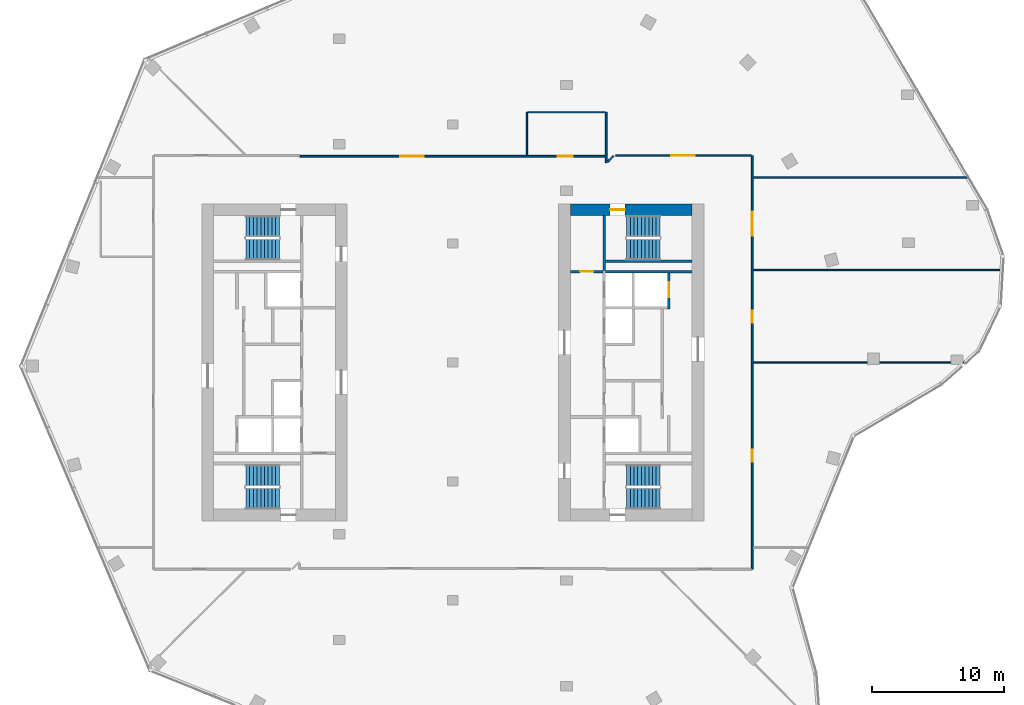
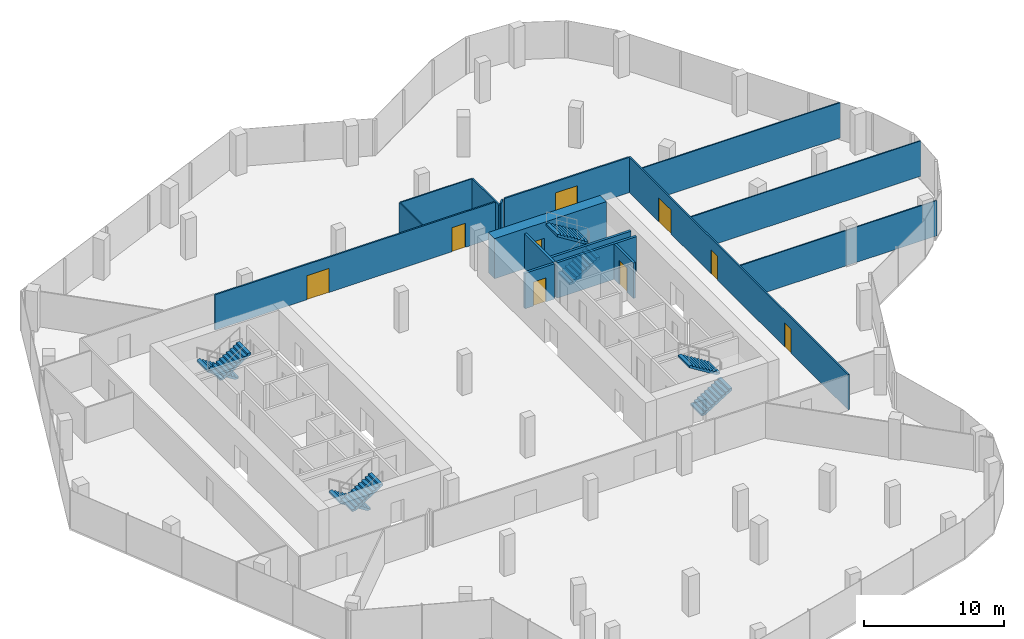
# One storey, part 14 of 15: 16 walls, 9 doors, 8 stair flights, 9 openings, 4 elements without a shape of their own.
"""IFC4 building model written with IfcOpenShell, lengths in metres."""

from ifc_helpers import new_model, si_unit, direction, frame, frame_2d, origin, place, context, subcontext, project, spatial, polyline, rectangle, outline, extrude, material, layer, layer_set, type_object, element, fill, aggregate, save


model = new_model("IFC4")

# Units and contexts
model_context = context("Model", 3, precision=1e-05, world=origin(), true_north=direction((0.0, 1.0)))
body_context = subcontext(model_context, "Body", "Model", "MODEL_VIEW")
ifc_project = project(units=[si_unit("LENGTHUNIT", "METRE"), si_unit("AREAUNIT", "SQUARE_METRE"), si_unit("VOLUMEUNIT", "CUBIC_METRE"), si_unit("PLANEANGLEUNIT", "RADIAN"), si_unit("MASSUNIT", "GRAM", prefix="KILO")], contexts=[model_context])

# Site, building, storey
site_placement = place(None, origin())
site = spatial("IfcSite", under=ifc_project, at=site_placement, CompositionType="ELEMENT")
building_placement = place(site_placement, origin())
building = spatial("IfcBuilding", under=site, at=building_placement, Name="Orlundy Tower", CompositionType="ELEMENT")
storey_placement = place(building_placement, frame((0.0, 0.0, 278.89990234375)))
storey = spatial("IfcBuildingStorey", under=building, at=storey_placement, Name="L74", CompositionType="ELEMENT", Elevation=278.89990234375)

# Wall, opening, door
ifc_material_1 = material(Name="Concrete C50/60", Category="concrete")
ifc_layer_1 = layer(ifc_material_1, 0.89990234375)
ifc_layer_set_1 = layer_set([ifc_layer_1], Name="CORE WALL 900 C50/60")
wall_type_1 = type_object("IfcWallType", Name="CORE WALL 900 C50/60", PredefinedType="SHEAR", material=ifc_layer_set_1)
wall_1_placement = place(storey_placement, frame((8.89990234375, 11.550048828125, 0.0), z_axis=(0.0, 0.0, 1.0), x_axis=(1.0, 0.0, 0.0)))
wall_1 = element("IfcWall", 1, at=wall_1_placement, inside=storey, type_object=wall_type_1, Name="Core wall E-N L74", PredefinedType="SHEAR", context=body_context, shape_type="SweptSolid", body=[
    extrude(rectangle(XDim=9.2001953125, YDim=0.89990234375, at=frame_2d((4.60009765625, 0.0))), origin(), (0.0, 0.0, 1.0), 3.5),
])
opening_1_placement = place(wall_1_placement, frame((3.0, 0.0, 0.0)))
opening_1 = element("IfcOpeningElement", 2, at=opening_1_placement, cuts=wall_1, Name="Opening 56061", PredefinedType="OPENING", context=body_context, shape_type="SweptSolid", body=[
    extrude(rectangle(XDim=1.10009765625, YDim=2.10009765625, at=frame_2d((0.550048828125, 1.050048828125))), frame((0.0, 0.4599609375, 0.0), z_axis=(0.0, -1.0, 0.0), x_axis=(1.0, 0.0, 0.0)), (0.0, 0.0, 1.0), 0.919921875),
])
ifc_material_2 = material(Name="Steel door set", Category="steel")
door_type_1 = type_object("IfcDoorType", Name="Stair Door 1100x2100", OperationType="SINGLE_SWING_LEFT", PredefinedType="DOOR", material=ifc_material_2)
door_1_placement = place(opening_1_placement, origin())
door_1 = element("IfcDoor", 3, at=door_1_placement, inside=storey, type_object=door_type_1, Name="Stair door 56061", OperationType="SINGLE_SWING_LEFT", OverallHeight=2.10009765625, OverallWidth=1.10009765625, PredefinedType="DOOR", context=body_context, shape_type="SweptSolid", body=[
    extrude(rectangle(XDim=1.10009765625, YDim=2.10009765625, at=frame_2d((0.550048828125, 1.050048828125))), frame((0.0, 0.02490234375, 0.0), z_axis=(0.0, -1.0, 0.0), x_axis=(1.0, 0.0, 0.0)), (0.0, 0.0, 1.0), 0.050048828125),
])
fill(opening_1, door_1)

# Walls
ifc_material_3 = material(Name="Gypsum board partition")
ifc_layer_2 = layer(ifc_material_3, 0.10009765625)
ifc_layer_set_2 = layer_set([ifc_layer_2], Name="Floor partition 100")
wall_type_2 = type_object("IfcWallType", Name="Floor partition 100", PredefinedType="PARTITIONING", material=ifc_layer_set_2)
wall_2_placement = place(storey_placement, frame((22.7119140625, 0.0, 0.0), z_axis=(0.0, 0.0, 1.0), x_axis=(1.0, 0.0, 0.0)))
element("IfcWall", 4, at=wall_2_placement, inside=storey, type_object=wall_type_2, Name="wall-int-L74-009", PredefinedType="PARTITIONING", context=body_context, shape_type="SweptSolid", body=[
    extrude(rectangle(XDim=16.2041015625, YDim=0.10009765625, at=frame_2d((8.10205078125, 0.0))), origin(), (0.0, 0.0, 1.0), 3.080078125),
])
wall_3_placement = place(storey_placement, frame((22.7119140625, 7.0, 0.0), z_axis=(0.0, 0.0, 1.0), x_axis=(1.0, 0.0, 0.0)))
element("IfcWall", 5, at=wall_3_placement, inside=storey, type_object=wall_type_2, Name="wall-int-L74-010", PredefinedType="PARTITIONING", context=body_context, shape_type="SweptSolid", body=[
    extrude(rectangle(XDim=18.927978515625, YDim=0.10009765625, at=frame_2d((9.4638671875, 0.0))), origin(), (0.0, 0.0, 1.0), 3.080078125),
])
wall_4_placement = place(storey_placement, frame((22.7119140625, 14.0, 0.0), z_axis=(0.0, 0.0, 1.0), x_axis=(1.0, 0.0, 0.0)))
element("IfcWall", 6, at=wall_4_placement, inside=storey, type_object=wall_type_2, Name="wall-int-L74-013", PredefinedType="PARTITIONING", context=body_context, shape_type="SweptSolid", body=[
    extrude(rectangle(XDim=16.336181640625, YDim=0.10009765625, at=frame_2d((8.16796875, 0.0))), origin(), (0.0, 0.0, 1.0), 3.080078125),
])
wall_5_placement = place(storey_placement, frame((5.64892578125, 18.93310546875, 0.0), z_axis=(0.0, 0.0, 1.0), x_axis=(1.0, 0.0, 0.0)))
element("IfcWall", 7, at=wall_5_placement, inside=storey, type_object=wall_type_2, Name="wall-int-L74-017", PredefinedType="PARTITIONING", context=body_context, shape_type="SweptSolid", body=[
    extrude(rectangle(XDim=5.88818359375, YDim=0.10009765625, at=frame_2d((2.944091796875, 0.0))), origin(), (0.0, 0.0, 1.0), 3.080078125),
])
wall_6_placement = place(storey_placement, frame((5.59912109375, 15.6640625, 0.0), z_axis=(0.0, 0.0, 1.0), x_axis=(0.0, 1.0, 0.0)))
element("IfcWall", 8, at=wall_6_placement, inside=storey, type_object=wall_type_2, Name="wall-int-L74-023", PredefinedType="PARTITIONING", context=body_context, shape_type="SweptSolid", body=[
    extrude(rectangle(XDim=3.26904296875, YDim=0.10009765625, at=frame_2d((1.634521484375, 0.0))), origin(), (0.0, 0.0, 1.0), 3.080078125),
])

# Wall, openings, doors
ifc_material_4 = material(Name="Gypsum board partition, double layer")
ifc_layer_3 = layer(ifc_material_4, 0.125)
ifc_layer_set_3 = layer_set([ifc_layer_3], Name="Floor partition 125")
wall_type_3 = type_object("IfcWallType", Name="Floor partition 125", PredefinedType="PARTITIONING", material=ifc_layer_set_3)
wall_7_placement = place(storey_placement, frame((-11.590087890625, 15.60107421875, 0.0), z_axis=(0.0, 0.0, 1.0), x_axis=(1.0, 0.0, 0.0)))
wall_7 = element("IfcWall", 9, at=wall_7_placement, inside=storey, type_object=wall_type_3, Name="wall-int-L74-014", PredefinedType="PARTITIONING", context=body_context, shape_type="SweptSolid", body=[
    extrude(rectangle(XDim=23.127197265625, YDim=0.125, at=frame_2d((11.5634765625, 0.0))), origin(), (0.0, 0.0, 1.0), 3.080078125),
])
opening_2_placement = place(wall_7_placement, frame((7.60009765625, 0.0, 0.0)))
opening_2 = element("IfcOpeningElement", 10, at=opening_2_placement, cuts=wall_7, Name="Opening 56108", PredefinedType="OPENING", context=body_context, shape_type="SweptSolid", body=[
    extrude(rectangle(XDim=1.800048828125, YDim=2.10009765625, at=frame_2d((0.89990234375, 1.050048828125))), frame((0.0, 0.072509765625, 0.0), z_axis=(0.0, -1.0, 0.0), x_axis=(1.0, 0.0, 0.0)), (0.0, 0.0, 1.0), 0.14501953125),
])
opening_3_placement = place(wall_7_placement, frame((19.5390625, 0.0, 0.0)))
opening_3 = element("IfcOpeningElement", 11, at=opening_3_placement, cuts=wall_7, Name="Opening 56112", PredefinedType="OPENING", context=body_context, shape_type="SweptSolid", body=[
    extrude(rectangle(XDim=1.10009765625, YDim=2.10009765625, at=frame_2d((0.550048828125, 1.050048828125))), frame((0.0, 0.072509765625, 0.0), z_axis=(0.0, -1.0, 0.0), x_axis=(1.0, 0.0, 0.0)), (0.0, 0.0, 1.0), 0.14501953125),
])
ifc_material_5 = material(Name="Timber door leaf", Category="wood")
door_type_2 = type_object("IfcDoorType", Name="Floor door double 1800 FD30S", OperationType="NOTDEFINED", PredefinedType="DOOR", material=ifc_material_5)
door_2_placement = place(opening_2_placement, origin())
door_2 = element("IfcDoor", 12, at=door_2_placement, inside=storey, type_object=door_type_2, Name="Door 56108", OperationType="DOUBLE_DOOR_SINGLE_SWING", OverallHeight=2.10009765625, OverallWidth=1.800048828125, PredefinedType="DOOR", context=body_context, shape_type="SweptSolid", body=[
    extrude(rectangle(XDim=1.800048828125, YDim=2.10009765625, at=frame_2d((0.89990234375, 1.050048828125))), frame((0.0, 0.02490234375, 0.0), z_axis=(0.0, -1.0, 0.0), x_axis=(1.0, 0.0, 0.0)), (0.0, 0.0, 1.0), 0.050048828125),
])
fill(opening_2, door_2)
ifc_material_6 = material(Name="Timber door leaf", Category="wood")
door_type_3 = type_object("IfcDoorType", Name="Floor door xwide 1100 FD30S", OperationType="NOTDEFINED", PredefinedType="DOOR", material=ifc_material_6)
door_3_placement = place(opening_3_placement, origin())
door_3 = element("IfcDoor", 13, at=door_3_placement, inside=storey, type_object=door_type_3, Name="Door 56112", OperationType="SINGLE_SWING_RIGHT", OverallHeight=2.10009765625, OverallWidth=1.10009765625, PredefinedType="DOOR", context=body_context, shape_type="SweptSolid", body=[
    extrude(rectangle(XDim=1.10009765625, YDim=2.10009765625, at=frame_2d((0.550048828125, 1.050048828125))), frame((0.0, 0.02490234375, 0.0), z_axis=(0.0, -1.0, 0.0), x_axis=(1.0, 0.0, 0.0)), (0.0, 0.0, 1.0), 0.050048828125),
])
fill(opening_3, door_3)

# Wall, opening, door
wall_8_placement = place(storey_placement, frame((12.31103515625, 15.65087890625, 0.0), z_axis=(0.0, 0.0, 1.0), x_axis=(1.0, 0.0, 0.0)))
wall_8 = element("IfcWall", 14, at=wall_8_placement, inside=storey, type_object=wall_type_3, Name="wall-int-L74-016", PredefinedType="PARTITIONING", context=body_context, shape_type="SweptSolid", body=[
    extrude(rectangle(XDim=10.27587890625, YDim=0.125, at=frame_2d((5.137939453125, 0.0))), origin(), (0.0, 0.0, 1.0), 3.080078125),
])
opening_4_placement = place(wall_8_placement, frame((4.19921875, 0.0, 0.0)))
opening_4 = element("IfcOpeningElement", 15, at=opening_4_placement, cuts=wall_8, Name="Opening 56109", PredefinedType="OPENING", context=body_context, shape_type="SweptSolid", body=[
    extrude(rectangle(XDim=1.800048828125, YDim=2.10009765625, at=frame_2d((0.89990234375, 1.050048828125))), frame((0.0, 0.072509765625, 0.0), z_axis=(0.0, -1.0, 0.0), x_axis=(1.0, 0.0, 0.0)), (0.0, 0.0, 1.0), 0.14501953125),
])
door_4_placement = place(opening_4_placement, origin())
door_4 = element("IfcDoor", 16, at=door_4_placement, inside=storey, type_object=door_type_2, Name="Door 56109", OperationType="DOUBLE_DOOR_SINGLE_SWING", OverallHeight=2.10009765625, OverallWidth=1.800048828125, PredefinedType="DOOR", context=body_context, shape_type="SweptSolid", body=[
    extrude(rectangle(XDim=1.800048828125, YDim=2.10009765625, at=frame_2d((0.89990234375, 1.050048828125))), frame((0.0, 0.02490234375, 0.0), z_axis=(0.0, -1.0, 0.0), x_axis=(1.0, 0.0, 0.0)), (0.0, 0.0, 1.0), 0.050048828125),
])
fill(opening_4, door_4)

# Wall
wall_9_placement = place(storey_placement, frame((11.73291015625, 15.20703125, 0.0), z_axis=(0.0, 0.0, 1.0), x_axis=(0.707312245878, 0.706901256775, 0.0)))
element("IfcWall", 17, at=wall_9_placement, inside=storey, type_object=wall_type_3, Name="wall-int-L74-020", PredefinedType="PARTITIONING", context=body_context, shape_type="SweptSolid", body=[
    extrude(rectangle(XDim=0.593994140625, YDim=0.125, at=frame_2d((0.296875, 0.0))), origin(), (0.0, 0.0, 1.0), 3.080078125),
])

# Wall, openings, doors
wall_10_placement = place(storey_placement, frame((22.64990234375, 15.65087890625, 0.0), z_axis=(0.0, 0.0, 1.0), x_axis=(0.0, -1.0, 0.0)))
wall_10 = element("IfcWall", 18, at=wall_10_placement, inside=storey, type_object=wall_type_3, Name="wall-int-L74-021", PredefinedType="PARTITIONING", context=body_context, shape_type="SweptSolid", body=[
    extrude(rectangle(XDim=31.3017578125, YDim=0.125, at=frame_2d((15.65087890625, 0.0))), origin(), (0.0, 0.0, 1.0), 3.080078125),
])
opening_5_placement = place(wall_10_placement, frame((22.2509765625, 0.0, 0.0)))
opening_5 = element("IfcOpeningElement", 19, at=opening_5_placement, cuts=wall_10, Name="Opening 56105", PredefinedType="OPENING", context=body_context, shape_type="SweptSolid", body=[
    extrude(rectangle(XDim=0.89990234375, YDim=2.10009765625, at=frame_2d((0.449951171875, 1.050048828125))), frame((0.0, 0.072509765625, 0.0), z_axis=(0.0, -1.0, 0.0), x_axis=(1.0, 0.0, 0.0)), (0.0, 0.0, 1.0), 0.14501953125),
])
opening_6_placement = place(wall_10_placement, frame((11.7509765625, 0.0, 0.0)))
opening_6 = element("IfcOpeningElement", 20, at=opening_6_placement, cuts=wall_10, Name="Opening 56106", PredefinedType="OPENING", context=body_context, shape_type="SweptSolid", body=[
    extrude(rectangle(XDim=0.89990234375, YDim=2.10009765625, at=frame_2d((0.449951171875, 1.050048828125))), frame((0.0, 0.072509765625, 0.0), z_axis=(0.0, -1.0, 0.0), x_axis=(1.0, 0.0, 0.0)), (0.0, 0.0, 1.0), 0.14501953125),
])
opening_7_placement = place(wall_10_placement, frame((4.2509765625, 0.0, 0.0)))
opening_7 = element("IfcOpeningElement", 21, at=opening_7_placement, cuts=wall_10, Name="Opening 56107", PredefinedType="OPENING", context=body_context, shape_type="SweptSolid", body=[
    extrude(rectangle(XDim=1.800048828125, YDim=2.10009765625, at=frame_2d((0.89990234375, 1.050048828125))), frame((0.0, 0.072509765625, 0.0), z_axis=(0.0, -1.0, 0.0), x_axis=(1.0, 0.0, 0.0)), (0.0, 0.0, 1.0), 0.14501953125),
])
door_5_placement = place(opening_7_placement, origin())
door_5 = element("IfcDoor", 22, at=door_5_placement, inside=storey, type_object=door_type_2, Name="Door 56107", OperationType="DOUBLE_DOOR_SINGLE_SWING", OverallHeight=2.10009765625, OverallWidth=1.800048828125, PredefinedType="DOOR", context=body_context, shape_type="SweptSolid", body=[
    extrude(rectangle(XDim=1.800048828125, YDim=2.10009765625, at=frame_2d((0.89990234375, 1.050048828125))), frame((0.0, 0.02490234375, 0.0), z_axis=(0.0, -1.0, 0.0), x_axis=(1.0, 0.0, 0.0)), (0.0, 0.0, 1.0), 0.050048828125),
])
fill(opening_7, door_5)
ifc_material_7 = material(Name="Timber door leaf", Category="wood")
door_type_4 = type_object("IfcDoorType", Name="Floor door single 900 FD30S", OperationType="NOTDEFINED", PredefinedType="DOOR", material=ifc_material_7)
door_6_placement = place(opening_5_placement, origin())
door_6 = element("IfcDoor", 23, at=door_6_placement, inside=storey, type_object=door_type_4, Name="Door 56105", OperationType="SINGLE_SWING_RIGHT", OverallHeight=2.10009765625, OverallWidth=0.89990234375, PredefinedType="DOOR", context=body_context, shape_type="SweptSolid", body=[
    extrude(rectangle(XDim=0.89990234375, YDim=2.10009765625, at=frame_2d((0.449951171875, 1.050048828125))), frame((0.0, 0.02490234375, 0.0), z_axis=(0.0, -1.0, 0.0), x_axis=(1.0, 0.0, 0.0)), (0.0, 0.0, 1.0), 0.050048828125),
])
fill(opening_5, door_6)
door_7_placement = place(opening_6_placement, origin())
door_7 = element("IfcDoor", 24, at=door_7_placement, inside=storey, type_object=door_type_4, Name="Door 56106", OperationType="SINGLE_SWING_LEFT", OverallHeight=2.10009765625, OverallWidth=0.89990234375, PredefinedType="DOOR", context=body_context, shape_type="SweptSolid", body=[
    extrude(rectangle(XDim=0.89990234375, YDim=2.10009765625, at=frame_2d((0.449951171875, 1.050048828125))), frame((0.0, 0.02490234375, 0.0), z_axis=(0.0, -1.0, 0.0), x_axis=(1.0, 0.0, 0.0)), (0.0, 0.0, 1.0), 0.050048828125),
])
fill(opening_6, door_7)

# Walls
wall_11_placement = place(storey_placement, frame((11.60107421875, 15.092041015625, 0.0), z_axis=(0.0, 0.0, 1.0), x_axis=(0.0, 1.0, 0.0)))
element("IfcWall", 25, at=wall_11_placement, inside=storey, type_object=wall_type_3, Name="wall-int-L74-022", PredefinedType="PARTITIONING", context=body_context, shape_type="SweptSolid", body=[
    extrude(rectangle(XDim=3.83984375, YDim=0.125, at=frame_2d((1.919921875, 0.0))), origin(), (0.0, 0.0, 1.0), 3.080078125),
])
ifc_material_8 = material(Name="Concrete C40/50", Category="concrete")
ifc_layer_4 = layer(ifc_material_8, 0.199951171875)
ifc_layer_set_4 = layer_set([ifc_layer_4], Name="Load-bearing Shaft Wall 200")
wall_type_4 = type_object("IfcWallType", Name="Load-bearing Shaft Wall 200", PredefinedType="SOLIDWALL", material=ifc_layer_set_4)
wall_12_placement = place(storey_placement, frame((11.43994140625, 11.10009765625, 0.0), z_axis=(0.0, 0.0, 1.0), x_axis=(0.0, -1.0, 0.0)))
element("IfcWall", 26, at=wall_12_placement, inside=storey, type_object=wall_type_4, Name="Shaft wall E56-stair-end-s", PredefinedType="SOLIDWALL", context=body_context, shape_type="SweptSolid", body=[
    extrude(rectangle(XDim=4.125, YDim=0.199951171875, at=frame_2d((2.0625, 0.0))), origin(), (0.0, 0.0, 1.0), 3.090087890625),
])
wall_13_placement = place(storey_placement, frame((11.5400390625, 7.64990234375, 0.0), z_axis=(0.0, 0.0, 1.0), x_axis=(1.0, 0.0, 0.0)))
element("IfcWall", 27, at=wall_13_placement, inside=storey, type_object=wall_type_4, Name="Shaft wall E56-stair-side-s", PredefinedType="SOLIDWALL", context=body_context, shape_type="SweptSolid", body=[
    extrude(rectangle(XDim=6.56005859375, YDim=0.199951171875, at=frame_2d((3.280029296875, 0.0))), origin(), (0.0, 0.0, 1.0), 3.090087890625),
])

# Wall, opening, door
ifc_material_9 = material(Name="Gypsum board partition on steel studs", Category="steel")
ifc_layer_5 = layer(ifc_material_9, 0.199951171875)
ifc_layer_set_5 = layer_set([ifc_layer_5], Name="Partition 200")
wall_type_5 = type_object("IfcWallType", Name="Partition 200", PredefinedType="PARTITIONING", material=ifc_layer_set_5)
wall_14_placement = place(storey_placement, frame((8.89990234375, 6.875, 0.0), z_axis=(0.0, 0.0, 1.0), x_axis=(1.0, 0.0, 0.0)))
wall_14 = element("IfcWall", 28, at=wall_14_placement, inside=storey, type_object=wall_type_5, Name="Partition wall E56-end-s", PredefinedType="PARTITIONING", context=body_context, shape_type="SweptSolid", body=[
    extrude(rectangle(XDim=2.440185546875, YDim=0.199951171875, at=frame_2d((1.22021484375, 0.0))), origin(), (0.0, 0.0, 1.0), 3.090087890625),
])
opening_8_placement = place(wall_14_placement, frame((0.719970703125, 0.0, 0.0)))
opening_8 = element("IfcOpeningElement", 29, at=opening_8_placement, cuts=wall_14, Name="Opening 56063", PredefinedType="OPENING", context=body_context, shape_type="SweptSolid", body=[
    extrude(rectangle(XDim=1.0, YDim=2.10009765625, at=frame_2d((0.5, 1.050048828125))), frame((0.0, 0.110107421875, 0.0), z_axis=(0.0, -1.0, 0.0), x_axis=(1.0, 0.0, 0.0)), (0.0, 0.0, 1.0), 0.22021484375),
])
ifc_material_10 = material(Name="Timber door set", Category="wood")
door_type_5 = type_object("IfcDoorType", Name="Accessible Door 1000x2100", OperationType="SINGLE_SWING_LEFT", PredefinedType="DOOR", material=ifc_material_10)
door_8_placement = place(opening_8_placement, origin())
door_8 = element("IfcDoor", 30, at=door_8_placement, inside=storey, type_object=door_type_5, Name="Accessible WC door 56063", OperationType="SINGLE_SWING_RIGHT", OverallHeight=2.10009765625, OverallWidth=1.0, PredefinedType="DOOR", context=body_context, shape_type="SweptSolid", body=[
    extrude(rectangle(XDim=1.0, YDim=2.10009765625, at=frame_2d((0.5, 1.050048828125))), frame((0.0, 0.02490234375, 0.0), z_axis=(0.0, -1.0, 0.0), x_axis=(1.0, 0.0, 0.0)), (0.0, 0.0, 1.0), 0.050048828125),
])
fill(opening_8, door_8)

# Wall
ifc_material_11 = material(Name="Fire-rated blockwork shaft wall", Category="masonry")
ifc_layer_6 = layer(ifc_material_11, 0.199951171875)
ifc_layer_set_6 = layer_set([ifc_layer_6], Name="Shaft Wall 200")
wall_type_6 = type_object("IfcWallType", Name="Shaft Wall 200", PredefinedType="SOLIDWALL", material=ifc_layer_set_6)
wall_15_placement = place(storey_placement, frame((11.5400390625, 6.875, 0.0), z_axis=(0.0, 0.0, 1.0), x_axis=(1.0, 0.0, 0.0)))
element("IfcWall", 31, at=wall_15_placement, inside=storey, type_object=wall_type_6, Name="Shaft wall E56-zone-s", PredefinedType="SOLIDWALL", context=body_context, shape_type="SweptSolid", body=[
    extrude(rectangle(XDim=6.56005859375, YDim=0.199951171875, at=frame_2d((3.280029296875, 0.0))), origin(), (0.0, 0.0, 1.0), 3.090087890625),
])

# Wall, opening, door
wall_16_placement = place(storey_placement, frame((16.340087890625, 6.77490234375, 0.0), z_axis=(0.0, 0.0, 1.0), x_axis=(0.0, -1.0, 0.0)))
wall_16 = element("IfcWall", 32, at=wall_16_placement, inside=storey, type_object=wall_type_6, Name="Shaft wall E56-front-o-a", PredefinedType="SOLIDWALL", context=body_context, shape_type="SweptSolid", body=[
    extrude(rectangle(XDim=2.75, YDim=0.199951171875, at=frame_2d((1.375, 0.0))), origin(), (0.0, 0.0, 1.0), 3.090087890625),
])
opening_9_placement = place(wall_16_placement, frame((0.72509765625, 0.0, 0.0)))
opening_9 = element("IfcOpeningElement", 33, at=opening_9_placement, cuts=wall_16, Name="Opening 56051", PredefinedType="OPENING", context=body_context, shape_type="SweptSolid", body=[
    extrude(rectangle(XDim=1.10009765625, YDim=2.10009765625, at=frame_2d((0.550048828125, 1.050048828125))), frame((0.0, 0.110107421875, 0.0), z_axis=(0.0, -1.0, 0.0), x_axis=(1.0, 0.0, 0.0)), (0.0, 0.0, 1.0), 0.22021484375),
])
ifc_material_12 = material(Name="Steel door set", Category="steel")
door_type_6 = type_object("IfcDoorType", Name="Landing Door 1100x2100", OperationType="DOUBLE_DOOR_SLIDING", PredefinedType="DOOR", material=ifc_material_12)
door_9_placement = place(opening_9_placement, origin())
door_9 = element("IfcDoor", 34, at=door_9_placement, inside=storey, type_object=door_type_6, Name="Lift landing door LV-02 56051", OperationType="DOUBLE_DOOR_SLIDING", OverallHeight=2.10009765625, OverallWidth=1.10009765625, PredefinedType="DOOR", context=body_context, shape_type="SweptSolid", body=[
    extrude(rectangle(XDim=1.10009765625, YDim=2.10009765625, at=frame_2d((0.550048828125, 1.050048828125))), frame((0.0, 0.02490234375, 0.0), z_axis=(0.0, -1.0, 0.0), x_axis=(1.0, 0.0, 0.0)), (0.0, 0.0, 1.0), 0.050048828125),
])
fill(opening_9, door_9)

# Stair, stair flights
ifc_material_13 = material(Name="Concrete C50/60", Category="concrete")
stair_type = type_object("IfcStairType", Name="Exit Stair 20 risers", PredefinedType="HALF_TURN_STAIR", material=ifc_material_13)
stair_1_placement = place(storey_placement, origin())
stair_1 = element("IfcStair", 35, at=stair_1_placement, inside=storey, type_object=stair_type, Name="L74 Exit Stair ST-W1", PredefinedType="HALF_TURN_STAIR")
ifc_material_14 = material(Name="Concrete C50/60", Category="concrete")
stair_flight_type = type_object("IfcStairFlightType", Name="Stair Flight 10 risers", PredefinedType="STRAIGHT", material=ifc_material_14)
stair_flight_1_placement = place(storey_placement, frame((-13.139892578125, 10.300048828125, 0.0), z_axis=(0.0, 0.0, 1.0), x_axis=(-1.0, 0.0, 0.0)))
stair_flight_1 = element("IfcStairFlight", 36, at=stair_flight_1_placement, type_object=stair_flight_type, Name="ST-W1 flight 1", NumberOfRisers=10, NumberOfTreads=9, PredefinedType="STRAIGHT", RiserHeight=0.175, TreadLength=0.28, context=body_context, shape_type="SweptSolid", body=[
    extrude(outline(polyline([(0.0, 0.0), (0.0, 0.175048828125), (0.280029296875, 0.175048828125), (0.280029296875, 0.35009765625), (0.56005859375, 0.35009765625), (0.56005859375, 0.52490234375), (0.840087890625, 0.52490234375), (0.840087890625, 0.699951171875), (1.1201171875, 0.699951171875), (1.1201171875, 0.875), (1.39990234375, 0.875), (1.39990234375, 1.050048828125), (1.679931640625, 1.050048828125), (1.679931640625, 1.22509765625), (1.9599609375, 1.22509765625), (1.9599609375, 1.39990234375), (2.239990234375, 1.39990234375), (2.239990234375, 1.574951171875), (2.52001953125, 1.574951171875), (2.52001953125, 1.75), (2.52001953125, 1.398193359375), (0.28271484375, 0.0), (0.0, 0.0)])), frame((0.0, 0.800048828125, 0.0), z_axis=(0.0, -1.0, 0.0), x_axis=(1.0, 0.0, 0.0)), (0.0, 0.0, 1.0), 1.60009765625),
])
stair_flight_2_placement = place(storey_placement, frame((-15.659912109375, 8.550048828125, 1.75), z_axis=(0.0, 0.0, 1.0), x_axis=(1.0, 0.0, 0.0)))
stair_flight_2 = element("IfcStairFlight", 37, at=stair_flight_2_placement, type_object=stair_flight_type, Name="ST-W1 flight 2", NumberOfRisers=10, NumberOfTreads=9, PredefinedType="STRAIGHT", RiserHeight=0.175, TreadLength=0.28, context=body_context, shape_type="SweptSolid", body=[
    extrude(outline(polyline([(0.0, 0.0), (0.0, 0.175048828125), (0.280029296875, 0.175048828125), (0.280029296875, 0.35009765625), (0.56005859375, 0.35009765625), (0.56005859375, 0.52490234375), (0.840087890625, 0.52490234375), (0.840087890625, 0.699951171875), (1.1201171875, 0.699951171875), (1.1201171875, 0.875), (1.39990234375, 0.875), (1.39990234375, 1.050048828125), (1.679931640625, 1.050048828125), (1.679931640625, 1.22509765625), (1.9599609375, 1.22509765625), (1.9599609375, 1.39990234375), (2.239990234375, 1.39990234375), (2.239990234375, 1.574951171875), (2.52001953125, 1.574951171875), (2.52001953125, 1.75), (2.52001953125, 1.398193359375), (0.28271484375, 0.0), (0.0, 0.0)])), frame((0.0, 0.800048828125, 0.0), z_axis=(0.0, -1.0, 0.0), x_axis=(1.0, 0.0, 0.0)), (0.0, 0.0, 1.0), 1.60009765625),
])
aggregate(stair_1, [stair_flight_1, stair_flight_2])

stair_2_placement = place(storey_placement, origin())
stair_2 = element("IfcStair", 38, at=stair_2_placement, inside=storey, type_object=stair_type, Name="L74 Exit Stair ST-W2", PredefinedType="HALF_TURN_STAIR")
stair_flight_3_placement = place(storey_placement, frame((-13.139892578125, -8.550048828125, 0.0), z_axis=(0.0, 0.0, 1.0), x_axis=(-1.0, 0.0, 0.0)))
stair_flight_3 = element("IfcStairFlight", 39, at=stair_flight_3_placement, type_object=stair_flight_type, Name="ST-W2 flight 1", NumberOfRisers=10, NumberOfTreads=9, PredefinedType="STRAIGHT", RiserHeight=0.175, TreadLength=0.28, context=body_context, shape_type="SweptSolid", body=[
    extrude(outline(polyline([(0.0, 0.0), (0.0, 0.175048828125), (0.280029296875, 0.175048828125), (0.280029296875, 0.35009765625), (0.56005859375, 0.35009765625), (0.56005859375, 0.52490234375), (0.840087890625, 0.52490234375), (0.840087890625, 0.699951171875), (1.1201171875, 0.699951171875), (1.1201171875, 0.875), (1.39990234375, 0.875), (1.39990234375, 1.050048828125), (1.679931640625, 1.050048828125), (1.679931640625, 1.22509765625), (1.9599609375, 1.22509765625), (1.9599609375, 1.39990234375), (2.239990234375, 1.39990234375), (2.239990234375, 1.574951171875), (2.52001953125, 1.574951171875), (2.52001953125, 1.75), (2.52001953125, 1.398193359375), (0.28271484375, 0.0), (0.0, 0.0)])), frame((0.0, 0.800048828125, 0.0), z_axis=(0.0, -1.0, 0.0), x_axis=(1.0, 0.0, 0.0)), (0.0, 0.0, 1.0), 1.60009765625),
])
stair_flight_4_placement = place(storey_placement, frame((-15.659912109375, -10.300048828125, 1.75), z_axis=(0.0, 0.0, 1.0), x_axis=(1.0, 0.0, 0.0)))
stair_flight_4 = element("IfcStairFlight", 40, at=stair_flight_4_placement, type_object=stair_flight_type, Name="ST-W2 flight 2", NumberOfRisers=10, NumberOfTreads=9, PredefinedType="STRAIGHT", RiserHeight=0.175, TreadLength=0.28, context=body_context, shape_type="SweptSolid", body=[
    extrude(outline(polyline([(0.0, 0.0), (0.0, 0.175048828125), (0.280029296875, 0.175048828125), (0.280029296875, 0.35009765625), (0.56005859375, 0.35009765625), (0.56005859375, 0.52490234375), (0.840087890625, 0.52490234375), (0.840087890625, 0.699951171875), (1.1201171875, 0.699951171875), (1.1201171875, 0.875), (1.39990234375, 0.875), (1.39990234375, 1.050048828125), (1.679931640625, 1.050048828125), (1.679931640625, 1.22509765625), (1.9599609375, 1.22509765625), (1.9599609375, 1.39990234375), (2.239990234375, 1.39990234375), (2.239990234375, 1.574951171875), (2.52001953125, 1.574951171875), (2.52001953125, 1.75), (2.52001953125, 1.398193359375), (0.28271484375, 0.0), (0.0, 0.0)])), frame((0.0, 0.800048828125, 0.0), z_axis=(0.0, -1.0, 0.0), x_axis=(1.0, 0.0, 0.0)), (0.0, 0.0, 1.0), 1.60009765625),
])
aggregate(stair_2, [stair_flight_3, stair_flight_4])

stair_3_placement = place(storey_placement, origin())
stair_3 = element("IfcStair", 41, at=stair_3_placement, inside=storey, type_object=stair_type, Name="L74 Exit Stair ST-E1", PredefinedType="HALF_TURN_STAIR")
stair_flight_5_placement = place(storey_placement, frame((13.139892578125, -10.300048828125, 0.0), z_axis=(0.0, 0.0, 1.0), x_axis=(1.0, 0.0, 0.0)))
stair_flight_5 = element("IfcStairFlight", 42, at=stair_flight_5_placement, type_object=stair_flight_type, Name="ST-E1 flight 1", NumberOfRisers=10, NumberOfTreads=9, PredefinedType="STRAIGHT", RiserHeight=0.175, TreadLength=0.28, context=body_context, shape_type="SweptSolid", body=[
    extrude(outline(polyline([(0.0, 0.0), (0.0, 0.175048828125), (0.280029296875, 0.175048828125), (0.280029296875, 0.35009765625), (0.56005859375, 0.35009765625), (0.56005859375, 0.52490234375), (0.840087890625, 0.52490234375), (0.840087890625, 0.699951171875), (1.1201171875, 0.699951171875), (1.1201171875, 0.875), (1.39990234375, 0.875), (1.39990234375, 1.050048828125), (1.679931640625, 1.050048828125), (1.679931640625, 1.22509765625), (1.9599609375, 1.22509765625), (1.9599609375, 1.39990234375), (2.239990234375, 1.39990234375), (2.239990234375, 1.574951171875), (2.52001953125, 1.574951171875), (2.52001953125, 1.75), (2.52001953125, 1.398193359375), (0.28271484375, 0.0), (0.0, 0.0)])), frame((0.0, 0.800048828125, 0.0), z_axis=(0.0, -1.0, 0.0), x_axis=(1.0, 0.0, 0.0)), (0.0, 0.0, 1.0), 1.60009765625),
])
stair_flight_6_placement = place(storey_placement, frame((15.659912109375, -8.550048828125, 1.75), z_axis=(0.0, 0.0, 1.0), x_axis=(-1.0, 0.0, 0.0)))
stair_flight_6 = element("IfcStairFlight", 43, at=stair_flight_6_placement, type_object=stair_flight_type, Name="ST-E1 flight 2", NumberOfRisers=10, NumberOfTreads=9, PredefinedType="STRAIGHT", RiserHeight=0.175, TreadLength=0.28, context=body_context, shape_type="SweptSolid", body=[
    extrude(outline(polyline([(0.0, 0.0), (0.0, 0.175048828125), (0.280029296875, 0.175048828125), (0.280029296875, 0.35009765625), (0.56005859375, 0.35009765625), (0.56005859375, 0.52490234375), (0.840087890625, 0.52490234375), (0.840087890625, 0.699951171875), (1.1201171875, 0.699951171875), (1.1201171875, 0.875), (1.39990234375, 0.875), (1.39990234375, 1.050048828125), (1.679931640625, 1.050048828125), (1.679931640625, 1.22509765625), (1.9599609375, 1.22509765625), (1.9599609375, 1.39990234375), (2.239990234375, 1.39990234375), (2.239990234375, 1.574951171875), (2.52001953125, 1.574951171875), (2.52001953125, 1.75), (2.52001953125, 1.398193359375), (0.28271484375, 0.0), (0.0, 0.0)])), frame((0.0, 0.800048828125, 0.0), z_axis=(0.0, -1.0, 0.0), x_axis=(1.0, 0.0, 0.0)), (0.0, 0.0, 1.0), 1.60009765625),
])
aggregate(stair_3, [stair_flight_5, stair_flight_6])

stair_4_placement = place(storey_placement, origin())
stair_4 = element("IfcStair", 44, at=stair_4_placement, inside=storey, type_object=stair_type, Name="L74 Exit Stair ST-E2", PredefinedType="HALF_TURN_STAIR")
stair_flight_7_placement = place(storey_placement, frame((13.139892578125, 8.550048828125, 0.0), z_axis=(0.0, 0.0, 1.0), x_axis=(1.0, 0.0, 0.0)))
stair_flight_7 = element("IfcStairFlight", 45, at=stair_flight_7_placement, type_object=stair_flight_type, Name="ST-E2 flight 1", NumberOfRisers=10, NumberOfTreads=9, PredefinedType="STRAIGHT", RiserHeight=0.175, TreadLength=0.28, context=body_context, shape_type="SweptSolid", body=[
    extrude(outline(polyline([(0.0, 0.0), (0.0, 0.175048828125), (0.280029296875, 0.175048828125), (0.280029296875, 0.35009765625), (0.56005859375, 0.35009765625), (0.56005859375, 0.52490234375), (0.840087890625, 0.52490234375), (0.840087890625, 0.699951171875), (1.1201171875, 0.699951171875), (1.1201171875, 0.875), (1.39990234375, 0.875), (1.39990234375, 1.050048828125), (1.679931640625, 1.050048828125), (1.679931640625, 1.22509765625), (1.9599609375, 1.22509765625), (1.9599609375, 1.39990234375), (2.239990234375, 1.39990234375), (2.239990234375, 1.574951171875), (2.52001953125, 1.574951171875), (2.52001953125, 1.75), (2.52001953125, 1.398193359375), (0.28271484375, 0.0), (0.0, 0.0)])), frame((0.0, 0.800048828125, 0.0), z_axis=(0.0, -1.0, 0.0), x_axis=(1.0, 0.0, 0.0)), (0.0, 0.0, 1.0), 1.60009765625),
])
stair_flight_8_placement = place(storey_placement, frame((15.659912109375, 10.300048828125, 1.75), z_axis=(0.0, 0.0, 1.0), x_axis=(-1.0, 0.0, 0.0)))
stair_flight_8 = element("IfcStairFlight", 46, at=stair_flight_8_placement, type_object=stair_flight_type, Name="ST-E2 flight 2", NumberOfRisers=10, NumberOfTreads=9, PredefinedType="STRAIGHT", RiserHeight=0.175, TreadLength=0.28, context=body_context, shape_type="SweptSolid", body=[
    extrude(outline(polyline([(0.0, 0.0), (0.0, 0.175048828125), (0.280029296875, 0.175048828125), (0.280029296875, 0.35009765625), (0.56005859375, 0.35009765625), (0.56005859375, 0.52490234375), (0.840087890625, 0.52490234375), (0.840087890625, 0.699951171875), (1.1201171875, 0.699951171875), (1.1201171875, 0.875), (1.39990234375, 0.875), (1.39990234375, 1.050048828125), (1.679931640625, 1.050048828125), (1.679931640625, 1.22509765625), (1.9599609375, 1.22509765625), (1.9599609375, 1.39990234375), (2.239990234375, 1.39990234375), (2.239990234375, 1.574951171875), (2.52001953125, 1.574951171875), (2.52001953125, 1.75), (2.52001953125, 1.398193359375), (0.28271484375, 0.0), (0.0, 0.0)])), frame((0.0, 0.800048828125, 0.0), z_axis=(0.0, -1.0, 0.0), x_axis=(1.0, 0.0, 0.0)), (0.0, 0.0, 1.0), 1.60009765625),
])
aggregate(stair_4, [stair_flight_7, stair_flight_8])

save(model, "model.ifc")
